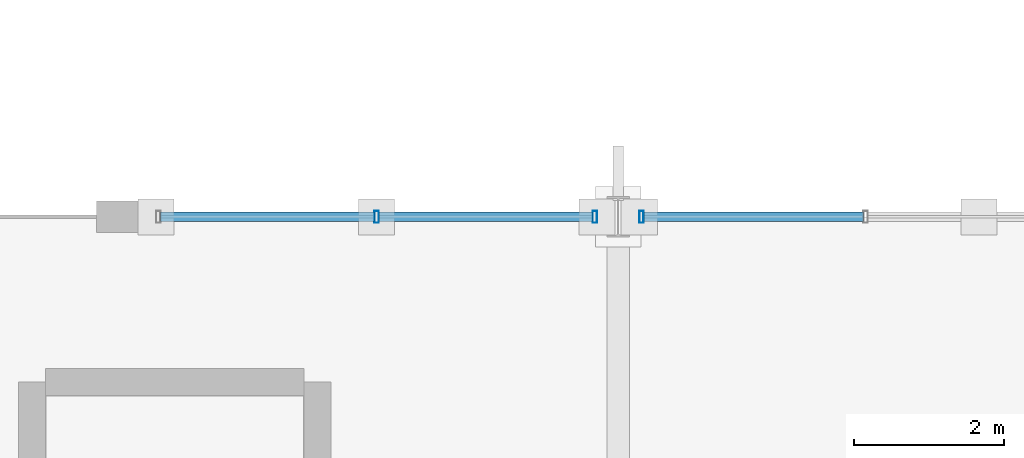
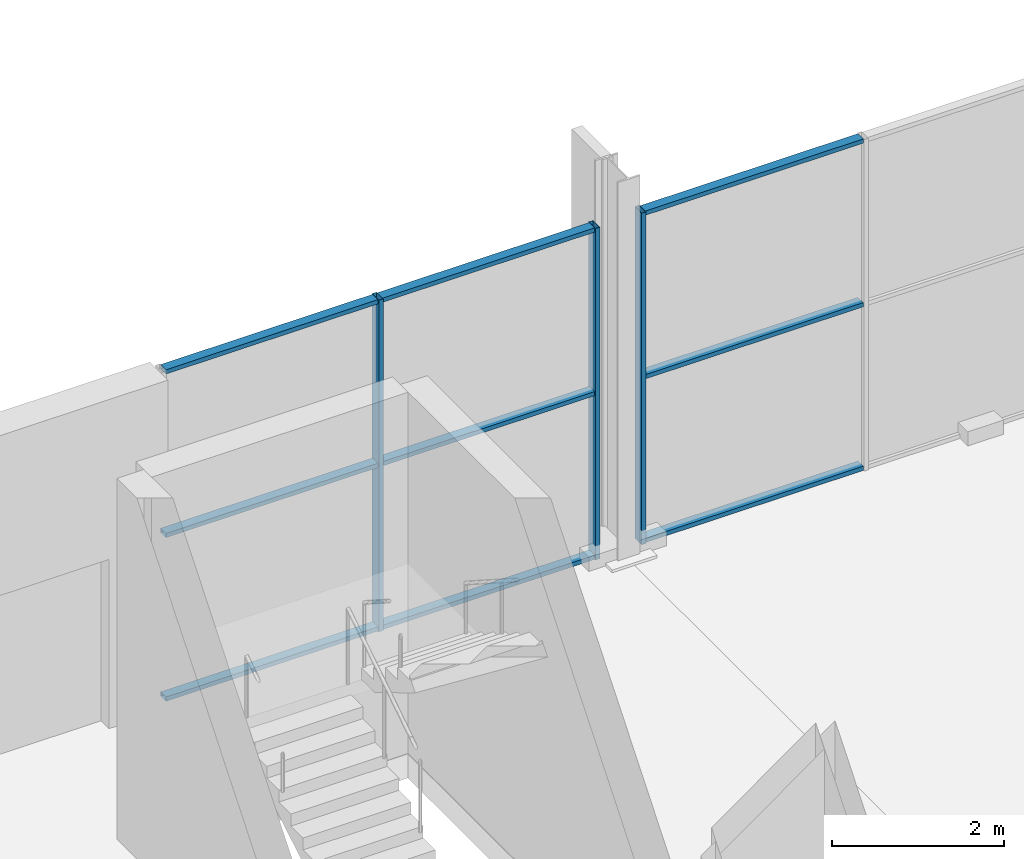
# One storey, part 108 of 196: 12 members, 2 elements without a shape of their own.
"""IFC4 building model written with IfcOpenShell, lengths in metres."""

import ifcopenshell
import ifcopenshell.guid

model = None  # the IFC model being written
_history = None  # IfcOwnerHistory: only IFC2X3 demands one
_inside = {}  # id of a spatial element -> (the spatial element, [elements in it])
_under = {}  # id of a project, library or spatial element -> (it, [spatial elements below it])
_declared = {}  # id of a project -> (the project, [libraries it declares])
_typed = {}  # id of a type object -> (the type object, [elements of that type])
_made_of = {}  # id of a material, layer set ... -> (it, [elements and type objects made of it])


def new_model(schema):
    """Start an empty IFC model of exactly this schema.

    Asked for "IFC4X3", IfcOpenShell would pick the latest addendum, in which some entities
    have other attributes; the version numbers below select the first issue.
    IFC2X3 requires an IfcOwnerHistory on every rooted entity: one is made here for all.
    """
    global model, _history
    if schema == "IFC4X3":
        model = ifcopenshell.file(schema_version=(4, 3, 0, 0))
    else:
        model = ifcopenshell.file(schema=schema)
    _inside.clear()
    _under.clear()
    _declared.clear()
    _typed.clear()
    _made_of.clear()
    _history = None
    if model.schema == "IFC2X3":
        org = make("IfcOrganization", Name="unknown")
        user = make(
            "IfcPersonAndOrganization",
            ThePerson=make("IfcPerson", FamilyName="unknown"),
            TheOrganization=org,
        )
        app = make(
            "IfcApplication",
            ApplicationDeveloper=org,
            Version="unknown",
            ApplicationFullName="unknown",
            ApplicationIdentifier="unknown",
        )
        _history = make(
            "IfcOwnerHistory",
            OwningUser=user,
            OwningApplication=app,
            ChangeAction="ADDED",
            CreationDate=0,
        )
    return model


def make(cls, **values):
    """One entity of the class cls with the attributes given. An attribute that is None is left unset."""
    return model.create_entity(
        cls, **{name: value for name, value in values.items() if value is not None}
    )


def rooted(cls, **values):
    """An entity with a GlobalId (a new one), such as an element, a storey or a relation."""
    return make(cls, GlobalId=ifcopenshell.guid.new(), OwnerHistory=_history, **values)


def si_unit(unit_type, name, prefix=None):
    """IfcSIUnit, for example si_unit("LENGTHUNIT", "METRE", prefix="MILLI")."""
    return make("IfcSIUnit", UnitType=unit_type, Prefix=prefix, Name=name)


def assignment(units):
    """IfcUnitAssignment: the units of a project."""
    return None if units is None else make("IfcUnitAssignment", Units=units)


def point(xyz):
    """IfcCartesianPoint."""
    return None if xyz is None else make("IfcCartesianPoint", Coordinates=xyz)


def direction(xyz):
    """IfcDirection."""
    return None if xyz is None else make("IfcDirection", DirectionRatios=xyz)


def frame(location, z_axis=None, x_axis=None):
    """IfcAxis2Placement3D, a coordinate frame: its origin and axes. An axis left out is left unset."""
    return make(
        "IfcAxis2Placement3D",
        Location=point(location),
        Axis=direction(z_axis),
        RefDirection=direction(x_axis),
    )


def frame_2d(location, x_axis=None):
    """IfcAxis2Placement2D, a coordinate frame in the plane: its origin and x axis."""
    return make(
        "IfcAxis2Placement2D", Location=point(location), RefDirection=direction(x_axis)
    )


def origin():
    """The frame at (0, 0, 0) with its axes left unset."""
    return frame((0.0, 0.0, 0.0))


def origin_2d():
    """The frame at (0, 0) in the plane with its x axis left unset."""
    return frame_2d((0.0, 0.0))


def place(relative_to, where):
    """IfcLocalPlacement: puts the frame where relative to a parent placement (None: the world)."""
    return make(
        "IfcLocalPlacement", PlacementRelTo=relative_to, RelativePlacement=where
    )


def context(
    kind, dimensions, precision=None, world=None, true_north=None, identifier=None
):
    """IfcGeometricRepresentationContext, for example the 3D "Model" context."""
    return make(
        "IfcGeometricRepresentationContext",
        ContextIdentifier=identifier,
        ContextType=kind,
        CoordinateSpaceDimension=dimensions,
        Precision=precision,
        WorldCoordinateSystem=world,
        TrueNorth=true_north,
    )


def subcontext(parent, identifier, kind, view, scale=None):
    """IfcGeometricRepresentationSubContext, for example "Body" below "Model"."""
    return make(
        "IfcGeometricRepresentationSubContext",
        ContextIdentifier=identifier,
        ContextType=kind,
        ParentContext=parent,
        TargetScale=scale,
        TargetView=view,
    )


def project(units=None, contexts=None):
    """IfcProject with its units and contexts."""
    return rooted(
        "IfcProject",
        Name="project",
        RepresentationContexts=contexts,
        UnitsInContext=assignment(units),
    )


def spatial(cls, under=None, at=None, **own):
    """A site, building, storey or space (cls), placed at a placement, below another one or the project."""
    s = rooted(cls, ObjectPlacement=at, **own)
    if under is not None:
        _under.setdefault(under.id(), (under, []))[1].append(s)
    return s


def profile(cls, at=None, kind="AREA", **sizes):
    """A parametric profile (cls). Its sizes go by their IFC names, for example OverallWidth=200.0."""
    return make(cls, ProfileType=kind, Position=at, **sizes)


def hollow_rectangle(**sizes):
    """IfcRectangleHollowProfileDef."""
    return profile("IfcRectangleHollowProfileDef", **sizes)


def extrude(swept, where, along, depth):
    """IfcExtrudedAreaSolid: the profile swept, set in the frame where, extruded along a direction by depth."""
    return make(
        "IfcExtrudedAreaSolid",
        SweptArea=swept,
        Position=where,
        ExtrudedDirection=direction(along),
        Depth=depth,
    )


def shape(context_of_items, identifier, shape_type, items):
    """IfcShapeRepresentation: the items that make up one representation, for example the "Body"."""
    return make(
        "IfcShapeRepresentation",
        ContextOfItems=context_of_items,
        RepresentationIdentifier=identifier,
        RepresentationType=shape_type,
        Items=items,
    )


def material(Name=None, Category=None):
    """IfcMaterial."""
    return make("IfcMaterial", Name=Name, Category=Category)


def material_profile(
    of_material, cross_section, Name=None, Category=None, Priority=None
):
    """IfcMaterialProfile: a cross section and its material."""
    return make(
        "IfcMaterialProfile",
        Name=Name,
        Material=of_material,
        Profile=cross_section,
        Priority=Priority,
        Category=Category,
    )


def profile_set(profiles, Name=None, composite=None):
    """IfcMaterialProfileSet."""
    return make(
        "IfcMaterialProfileSet",
        Name=Name,
        MaterialProfiles=profiles,
        CompositeProfile=composite,
    )


def made_of(thing, what):
    """Note that an element or type object is made of a material, layer set ...; save() writes the relation."""
    if what is not None:
        _made_of.setdefault(what.id(), (what, []))[1].append(thing)
    return thing


def type_object(cls, material=None, **own):
    """A type object (cls), such as IfcWallType, which elements share."""
    return made_of(rooted(cls, **own), material)


def element(
    cls,
    number,
    at=None,
    inside=None,
    cuts=None,
    type_object=None,
    material=None,
    context=None,
    identifier="Body",
    shape_type=None,
    held_by="IfcProductDefinitionShape",
    body=None,
    shapes=None,
    **own,
):
    """One element of the class cls, such as IfcWall. Its Tag is "e" and its number.

    at: its placement. inside: the storey or other place that contains it. cuts: it is an
    opening in that element (IfcRelVoidsElement). A single representation is given by context,
    identifier, shape_type and body (its items); several are given by shapes. held_by: the class
    of the entity that holds the representations. save() writes the other relations.
    """
    e = rooted(cls, Tag="e%d" % number, ObjectPlacement=at, **own)
    if body is not None:
        shapes = [shape(context, identifier, shape_type, body)]
    if shapes is not None:
        e.Representation = make(held_by, Representations=shapes)
    if inside is not None:
        _inside.setdefault(inside.id(), (inside, []))[1].append(e)
    if cuts is not None:
        rooted(
            "IfcRelVoidsElement", RelatingBuildingElement=cuts, RelatedOpeningElement=e
        )
    if type_object is not None:
        _typed.setdefault(type_object.id(), (type_object, []))[1].append(e)
    return made_of(e, material)


def aggregate(whole, parts):
    """IfcRelAggregates: a whole, such as a stair, and the parts it consists of."""
    return rooted("IfcRelAggregates", RelatingObject=whole, RelatedObjects=parts)


def save(model, path):
    """Write the relations noted so far, then the file.

    IfcRelAggregates (storeys below a building ...), IfcRelContainedInSpatialStructure (elements
    in a storey), IfcRelDefinesByType, IfcRelAssociatesMaterial and IfcRelDeclares: one each for
    every whole, place, type object, material and project.
    """
    for whole, parts in _under.values():
        aggregate(whole, parts)
    for where, things in _inside.values():
        rooted(
            "IfcRelContainedInSpatialStructure",
            RelatedElements=things,
            RelatingStructure=where,
        )
    for kind, things in _typed.values():
        rooted("IfcRelDefinesByType", RelatedObjects=things, RelatingType=kind)
    for what, things in _made_of.values():
        rooted("IfcRelAssociatesMaterial", RelatedObjects=things, RelatingMaterial=what)
    for by, libraries in _declared.values():
        rooted("IfcRelDeclares", RelatingContext=by, RelatedDefinitions=libraries)
    model.write(path)


model = new_model("IFC4")

# Units and contexts
model_context = context("Model", 3, precision=1e-05, world=origin(), true_north=direction((0.0, 1.0)))
body_context = subcontext(model_context, "Body", "Model", "MODEL_VIEW")
ifc_project = project(units=[si_unit("LENGTHUNIT", "METRE"), si_unit("AREAUNIT", "SQUARE_METRE"), si_unit("VOLUMEUNIT", "CUBIC_METRE"), si_unit("PLANEANGLEUNIT", "RADIAN"), si_unit("MASSUNIT", "GRAM", prefix="KILO")], contexts=[model_context])

# Site, building, storey
site_placement = place(None, origin())
site = spatial("IfcSite", under=ifc_project, at=site_placement, CompositionType="ELEMENT")
building_placement = place(site_placement, origin())
building = spatial("IfcBuilding", under=site, at=building_placement, Name="Merenkruunu Market Hall", CompositionType="ELEMENT")
storey_placement = place(building_placement, origin())
storey = spatial("IfcBuildingStorey", under=building, at=storey_placement, Name="L00", CompositionType="ELEMENT", Elevation=0.0)

# Curtain wall, members
ifc_material = material(Name="Powder-coated aluminium", Category="aluminium")
curtain_wall_type_1 = type_object("IfcCurtainWallType", Name="Glazed Curtain Wall CW06", PredefinedType="USERDEFINED", material=ifc_material)
curtain_wall_1_placement = place(storey_placement, origin())
curtain_wall_1 = element("IfcCurtainWall", 1, at=curtain_wall_1_placement, inside=storey, type_object=curtain_wall_type_1, Name="CW-L00-CWM01-056", ObjectType="GLAZED_FACADE", PredefinedType="USERDEFINED")
ifc_material_profile_1 = material_profile(ifc_material, hollow_rectangle(XDim=0.06005859375, YDim=0.159912109375, WallThickness=0.00390625, at=origin_2d()), Name="ALU 60x160x4")
ifc_profile_set_1 = profile_set([ifc_material_profile_1], Name="Powder-coated aluminium")
member_type_1 = type_object("IfcMemberType", Name="Curtain Wall Mullion CWM01", PredefinedType="MULLION", material=ifc_profile_set_1)
member_1_placement = place(storey_placement, frame((25.5849609375, 111.60009765625, 0.0), z_axis=(0.0, 0.0, 1.0), x_axis=(1.0, 0.0, 0.0)))
member_1 = element("IfcMember", 2, at=member_1_placement, type_object=member_type_1, Name="CW06 mullion 2", PredefinedType="MULLION", context=body_context, shape_type="SweptSolid", body=[
    extrude(hollow_rectangle(XDim=0.06005859375, YDim=0.159912109375, WallThickness=0.00390625, at=origin_2d()), origin(), (0.0, 0.0, 1.0), 4.699951171875),
])
member_2_placement = place(storey_placement, frame((28.489990234375, 111.60009765625, 0.0), z_axis=(0.0, 0.0, 1.0), x_axis=(1.0, 0.0, 0.0)))
member_2 = element("IfcMember", 3, at=member_2_placement, type_object=member_type_1, Name="CW06 mullion 3", PredefinedType="MULLION", context=body_context, shape_type="SweptSolid", body=[
    extrude(hollow_rectangle(XDim=0.06005859375, YDim=0.159912109375, WallThickness=0.00390625, at=origin_2d()), origin(), (0.0, 0.0, 1.0), 4.699951171875),
])

# Curtain wall, member
curtain_wall_type_2 = type_object("IfcCurtainWallType", Name="Glazed Curtain Wall CW01", PredefinedType="USERDEFINED", material=ifc_material)
curtain_wall_2_placement = place(storey_placement, origin())
curtain_wall_2 = element("IfcCurtainWall", 4, at=curtain_wall_2_placement, inside=storey, type_object=curtain_wall_type_2, Name="CW-L00-CWM01-059", ObjectType="GLAZED_FACADE", PredefinedType="USERDEFINED")
member_3_placement = place(storey_placement, frame((29.110107421875, 111.60009765625, 0.0), z_axis=(0.0, 0.0, 1.0), x_axis=(1.0, 0.0, 0.0)))
member_3 = element("IfcMember", 5, at=member_3_placement, type_object=member_type_1, Name="CW01 mullion 1", PredefinedType="MULLION", context=body_context, shape_type="SweptSolid", body=[
    extrude(hollow_rectangle(XDim=0.06005859375, YDim=0.159912109375, WallThickness=0.00390625, at=origin_2d()), origin(), (0.0, 0.0, 1.0), 4.699951171875),
])

# Member
ifc_material_profile_2 = material_profile(ifc_material, hollow_rectangle(XDim=0.06005859375, YDim=0.125, WallThickness=0.00390625, at=origin_2d()), Name="ALU 60x125x4")
ifc_profile_set_2 = profile_set([ifc_material_profile_2], Name="Powder-coated aluminium")
member_type_2 = type_object("IfcMemberType", Name="Curtain Wall Transom CWT01", PredefinedType="USERDEFINED", material=ifc_profile_set_2)
member_4_placement = place(storey_placement, frame((22.7099609375, 111.60009765625, 0.030029296875), z_axis=(1.0, 0.0, 0.0), x_axis=(0.0, 0.0, 1.0)))
member_4 = element("IfcMember", 6, at=member_4_placement, type_object=member_type_2, Name="CW06 transom 1.1", ObjectType="TRANSOM", PredefinedType="USERDEFINED", context=body_context, shape_type="SweptSolid", body=[
    extrude(hollow_rectangle(XDim=0.06005859375, YDim=0.125, WallThickness=0.00390625, at=origin_2d()), origin(), (0.0, 0.0, 1.0), 2.844970703125),
])

member_5_placement = place(storey_placement, frame((22.7099609375, 111.60009765625, 2.35009765625), z_axis=(1.0, 0.0, 0.0), x_axis=(0.0, 0.0, 1.0)))
member_5 = element("IfcMember", 7, at=member_5_placement, type_object=member_type_2, Name="CW06 transom 1.2", ObjectType="TRANSOM", PredefinedType="USERDEFINED", context=body_context, shape_type="SweptSolid", body=[
    extrude(hollow_rectangle(XDim=0.06005859375, YDim=0.125, WallThickness=0.00390625, at=origin_2d()), origin(), (0.0, 0.0, 1.0), 2.844970703125),
])

member_6_placement = place(storey_placement, frame((22.7099609375, 111.60009765625, 4.669921875), z_axis=(1.0, 0.0, 0.0), x_axis=(0.0, 0.0, 1.0)))
member_6 = element("IfcMember", 8, at=member_6_placement, type_object=member_type_2, Name="CW06 transom 1.3", ObjectType="TRANSOM", PredefinedType="USERDEFINED", context=body_context, shape_type="SweptSolid", body=[
    extrude(hollow_rectangle(XDim=0.06005859375, YDim=0.125, WallThickness=0.00390625, at=origin_2d()), origin(), (0.0, 0.0, 1.0), 2.844970703125),
])

member_7_placement = place(storey_placement, frame((25.614990234375, 111.60009765625, 0.030029296875), z_axis=(1.0, 0.0, 0.0), x_axis=(0.0, 0.0, 1.0)))
member_7 = element("IfcMember", 9, at=member_7_placement, type_object=member_type_2, Name="CW06 transom 2.1", ObjectType="TRANSOM", PredefinedType="USERDEFINED", context=body_context, shape_type="SweptSolid", body=[
    extrude(hollow_rectangle(XDim=0.06005859375, YDim=0.125, WallThickness=0.00390625, at=origin_2d()), origin(), (0.0, 0.0, 1.0), 2.844970703125),
])

member_8_placement = place(storey_placement, frame((25.614990234375, 111.60009765625, 2.35009765625), z_axis=(1.0, 0.0, 0.0), x_axis=(0.0, 0.0, 1.0)))
member_8 = element("IfcMember", 10, at=member_8_placement, type_object=member_type_2, Name="CW06 transom 2.2", ObjectType="TRANSOM", PredefinedType="USERDEFINED", context=body_context, shape_type="SweptSolid", body=[
    extrude(hollow_rectangle(XDim=0.06005859375, YDim=0.125, WallThickness=0.00390625, at=origin_2d()), origin(), (0.0, 0.0, 1.0), 2.844970703125),
])

member_9_placement = place(storey_placement, frame((25.614990234375, 111.60009765625, 4.669921875), z_axis=(1.0, 0.0, 0.0), x_axis=(0.0, 0.0, 1.0)))
member_9 = element("IfcMember", 11, at=member_9_placement, type_object=member_type_2, Name="CW06 transom 2.3", ObjectType="TRANSOM", PredefinedType="USERDEFINED", context=body_context, shape_type="SweptSolid", body=[
    extrude(hollow_rectangle(XDim=0.06005859375, YDim=0.125, WallThickness=0.00390625, at=origin_2d()), origin(), (0.0, 0.0, 1.0), 2.844970703125),
])

aggregate(curtain_wall_1, [member_1, member_2, member_4, member_5, member_6, member_7, member_8, member_9])

member_10_placement = place(storey_placement, frame((29.139892578125, 111.60009765625, 0.030029296875), z_axis=(1.0, 0.0, 0.0), x_axis=(0.0, 0.0, 1.0)))
member_10 = element("IfcMember", 12, at=member_10_placement, type_object=member_type_2, Name="CW01 transom 1.1", ObjectType="TRANSOM", PredefinedType="USERDEFINED", context=body_context, shape_type="SweptSolid", body=[
    extrude(hollow_rectangle(XDim=0.06005859375, YDim=0.125, WallThickness=0.00390625, at=origin_2d()), origin(), (0.0, 0.0, 1.0), 2.92333984375),
])

member_11_placement = place(storey_placement, frame((29.139892578125, 111.60009765625, 2.35009765625), z_axis=(1.0, 0.0, 0.0), x_axis=(0.0, 0.0, 1.0)))
member_11 = element("IfcMember", 13, at=member_11_placement, type_object=member_type_2, Name="CW01 transom 1.2", ObjectType="TRANSOM", PredefinedType="USERDEFINED", context=body_context, shape_type="SweptSolid", body=[
    extrude(hollow_rectangle(XDim=0.06005859375, YDim=0.125, WallThickness=0.00390625, at=origin_2d()), origin(), (0.0, 0.0, 1.0), 2.92333984375),
])

member_12_placement = place(storey_placement, frame((29.139892578125, 111.60009765625, 4.669921875), z_axis=(1.0, 0.0, 0.0), x_axis=(0.0, 0.0, 1.0)))
member_12 = element("IfcMember", 14, at=member_12_placement, type_object=member_type_2, Name="CW01 transom 1.3", ObjectType="TRANSOM", PredefinedType="USERDEFINED", context=body_context, shape_type="SweptSolid", body=[
    extrude(hollow_rectangle(XDim=0.06005859375, YDim=0.125, WallThickness=0.00390625, at=origin_2d()), origin(), (0.0, 0.0, 1.0), 2.92333984375),
])

aggregate(curtain_wall_2, [member_3, member_10, member_11, member_12])

save(model, "model.ifc")
